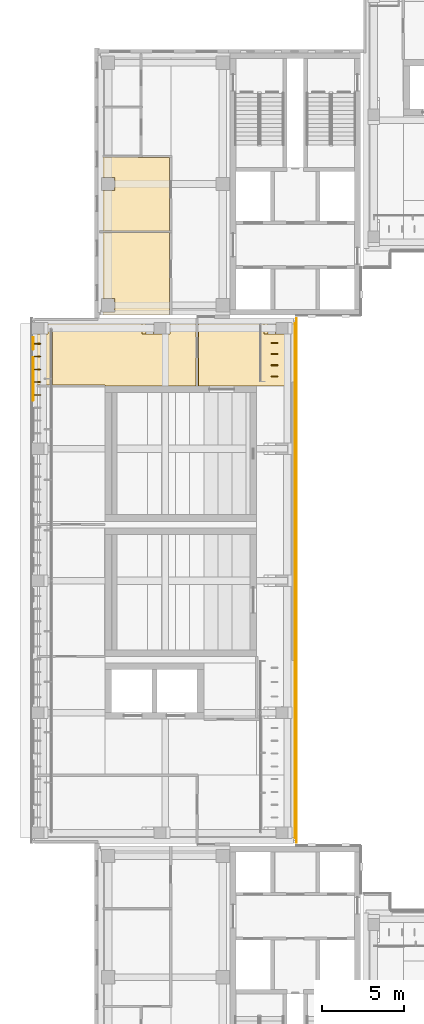
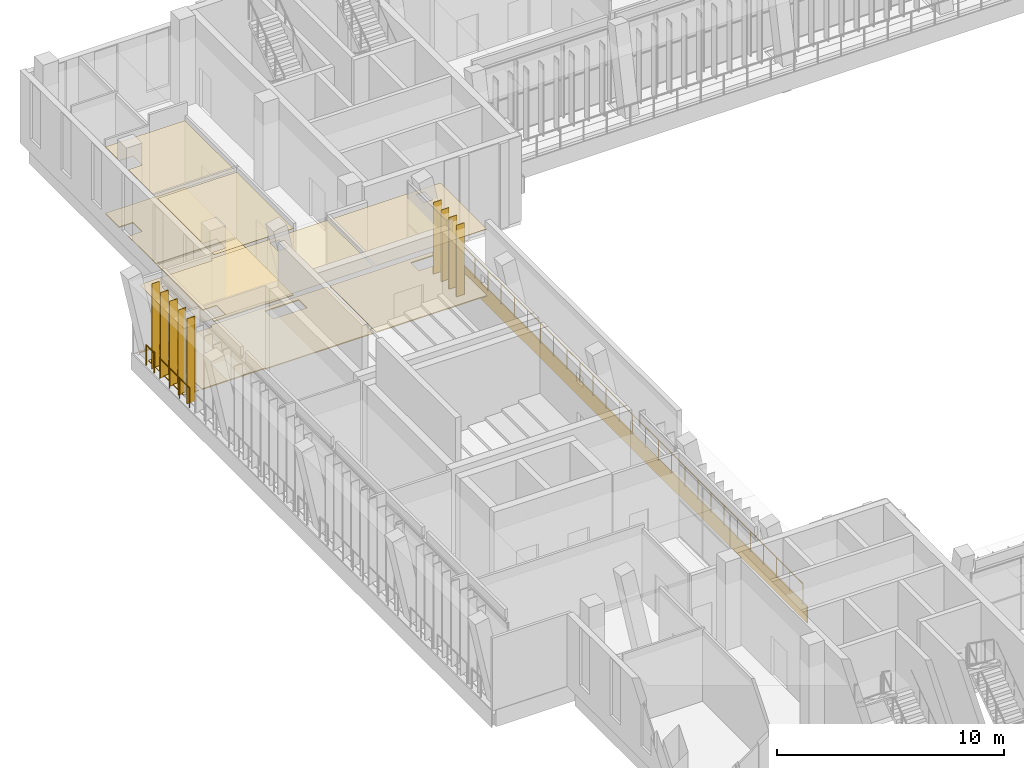
# One storey, part 60 of 74: 9 coverings, 9 shading devices, 3 railings.
"""IFC4 building model written with IfcOpenShell, lengths in metres."""

import ifcopenshell
import ifcopenshell.guid

model = None  # the IFC model being written
_history = None  # IfcOwnerHistory: only IFC2X3 demands one
_inside = {}  # id of a spatial element -> (the spatial element, [elements in it])
_under = {}  # id of a project, library or spatial element -> (it, [spatial elements below it])
_declared = {}  # id of a project -> (the project, [libraries it declares])
_typed = {}  # id of a type object -> (the type object, [elements of that type])
_made_of = {}  # id of a material, layer set ... -> (it, [elements and type objects made of it])


def new_model(schema):
    """Start an empty IFC model of exactly this schema.

    Asked for "IFC4X3", IfcOpenShell would pick the latest addendum, in which some entities
    have other attributes; the version numbers below select the first issue.
    IFC2X3 requires an IfcOwnerHistory on every rooted entity: one is made here for all.
    """
    global model, _history
    if schema == "IFC4X3":
        model = ifcopenshell.file(schema_version=(4, 3, 0, 0))
    else:
        model = ifcopenshell.file(schema=schema)
    _inside.clear()
    _under.clear()
    _declared.clear()
    _typed.clear()
    _made_of.clear()
    _history = None
    if model.schema == "IFC2X3":
        org = make("IfcOrganization", Name="unknown")
        user = make(
            "IfcPersonAndOrganization",
            ThePerson=make("IfcPerson", FamilyName="unknown"),
            TheOrganization=org,
        )
        app = make(
            "IfcApplication",
            ApplicationDeveloper=org,
            Version="unknown",
            ApplicationFullName="unknown",
            ApplicationIdentifier="unknown",
        )
        _history = make(
            "IfcOwnerHistory",
            OwningUser=user,
            OwningApplication=app,
            ChangeAction="ADDED",
            CreationDate=0,
        )
    return model


def make(cls, **values):
    """One entity of the class cls with the attributes given. An attribute that is None is left unset."""
    return model.create_entity(
        cls, **{name: value for name, value in values.items() if value is not None}
    )


def rooted(cls, **values):
    """An entity with a GlobalId (a new one), such as an element, a storey or a relation."""
    return make(cls, GlobalId=ifcopenshell.guid.new(), OwnerHistory=_history, **values)


def si_unit(unit_type, name, prefix=None):
    """IfcSIUnit, for example si_unit("LENGTHUNIT", "METRE", prefix="MILLI")."""
    return make("IfcSIUnit", UnitType=unit_type, Prefix=prefix, Name=name)


def assignment(units):
    """IfcUnitAssignment: the units of a project."""
    return None if units is None else make("IfcUnitAssignment", Units=units)


def point(xyz):
    """IfcCartesianPoint."""
    return None if xyz is None else make("IfcCartesianPoint", Coordinates=xyz)


def direction(xyz):
    """IfcDirection."""
    return None if xyz is None else make("IfcDirection", DirectionRatios=xyz)


def frame(location, z_axis=None, x_axis=None):
    """IfcAxis2Placement3D, a coordinate frame: its origin and axes. An axis left out is left unset."""
    return make(
        "IfcAxis2Placement3D",
        Location=point(location),
        Axis=direction(z_axis),
        RefDirection=direction(x_axis),
    )


def frame_2d(location, x_axis=None):
    """IfcAxis2Placement2D, a coordinate frame in the plane: its origin and x axis."""
    return make(
        "IfcAxis2Placement2D", Location=point(location), RefDirection=direction(x_axis)
    )


def origin():
    """The frame at (0, 0, 0) with its axes left unset."""
    return frame((0.0, 0.0, 0.0))


def origin_2d():
    """The frame at (0, 0) in the plane with its x axis left unset."""
    return frame_2d((0.0, 0.0))


def place(relative_to, where):
    """IfcLocalPlacement: puts the frame where relative to a parent placement (None: the world)."""
    return make(
        "IfcLocalPlacement", PlacementRelTo=relative_to, RelativePlacement=where
    )


def context(
    kind, dimensions, precision=None, world=None, true_north=None, identifier=None
):
    """IfcGeometricRepresentationContext, for example the 3D "Model" context."""
    return make(
        "IfcGeometricRepresentationContext",
        ContextIdentifier=identifier,
        ContextType=kind,
        CoordinateSpaceDimension=dimensions,
        Precision=precision,
        WorldCoordinateSystem=world,
        TrueNorth=true_north,
    )


def subcontext(parent, identifier, kind, view, scale=None):
    """IfcGeometricRepresentationSubContext, for example "Body" below "Model"."""
    return make(
        "IfcGeometricRepresentationSubContext",
        ContextIdentifier=identifier,
        ContextType=kind,
        ParentContext=parent,
        TargetScale=scale,
        TargetView=view,
    )


def project(units=None, contexts=None):
    """IfcProject with its units and contexts."""
    return rooted(
        "IfcProject",
        Name="project",
        RepresentationContexts=contexts,
        UnitsInContext=assignment(units),
    )


def spatial(cls, under=None, at=None, **own):
    """A site, building, storey or space (cls), placed at a placement, below another one or the project."""
    s = rooted(cls, ObjectPlacement=at, **own)
    if under is not None:
        _under.setdefault(under.id(), (under, []))[1].append(s)
    return s


def polyline(points):
    """IfcPolyline through the points."""
    return make("IfcPolyline", Points=[point(p) for p in points])


def profile(cls, at=None, kind="AREA", **sizes):
    """A parametric profile (cls). Its sizes go by their IFC names, for example OverallWidth=200.0."""
    return make(cls, ProfileType=kind, Position=at, **sizes)


def rectangle(**sizes):
    """IfcRectangleProfileDef."""
    return profile("IfcRectangleProfileDef", **sizes)


def circle(**sizes):
    """IfcCircleProfileDef."""
    return profile("IfcCircleProfileDef", **sizes)


def outline(outer, holes=None, kind="AREA"):
    """IfcArbitraryClosedProfileDef: a profile drawn as a closed curve; with holes, ...WithVoids."""
    if holes is None:
        return make("IfcArbitraryClosedProfileDef", ProfileType=kind, OuterCurve=outer)
    return make(
        "IfcArbitraryProfileDefWithVoids",
        ProfileType=kind,
        OuterCurve=outer,
        InnerCurves=holes,
    )


def extrude(swept, where, along, depth):
    """IfcExtrudedAreaSolid: the profile swept, set in the frame where, extruded along a direction by depth."""
    return make(
        "IfcExtrudedAreaSolid",
        SweptArea=swept,
        Position=where,
        ExtrudedDirection=direction(along),
        Depth=depth,
    )


def shape(context_of_items, identifier, shape_type, items):
    """IfcShapeRepresentation: the items that make up one representation, for example the "Body"."""
    return make(
        "IfcShapeRepresentation",
        ContextOfItems=context_of_items,
        RepresentationIdentifier=identifier,
        RepresentationType=shape_type,
        Items=items,
    )


def material(Name=None, Category=None):
    """IfcMaterial."""
    return make("IfcMaterial", Name=Name, Category=Category)


def layer(
    of_material, thickness, ventilated=None, Name=None, Category=None, Priority=None
):
    """IfcMaterialLayer: one layer of a wall or slab, of a material (None: an air gap)."""
    return make(
        "IfcMaterialLayer",
        Material=of_material,
        LayerThickness=thickness,
        IsVentilated=ventilated,
        Name=Name,
        Category=Category,
        Priority=Priority,
    )


def layer_set(layers, Name=None):
    """IfcMaterialLayerSet."""
    return make("IfcMaterialLayerSet", MaterialLayers=layers, LayerSetName=Name)


def made_of(thing, what):
    """Note that an element or type object is made of a material, layer set ...; save() writes the relation."""
    if what is not None:
        _made_of.setdefault(what.id(), (what, []))[1].append(thing)
    return thing


def type_object(cls, material=None, **own):
    """A type object (cls), such as IfcWallType, which elements share."""
    return made_of(rooted(cls, **own), material)


def element(
    cls,
    number,
    at=None,
    inside=None,
    cuts=None,
    type_object=None,
    material=None,
    context=None,
    identifier="Body",
    shape_type=None,
    held_by="IfcProductDefinitionShape",
    body=None,
    shapes=None,
    **own,
):
    """One element of the class cls, such as IfcWall. Its Tag is "e" and its number.

    at: its placement. inside: the storey or other place that contains it. cuts: it is an
    opening in that element (IfcRelVoidsElement). A single representation is given by context,
    identifier, shape_type and body (its items); several are given by shapes. held_by: the class
    of the entity that holds the representations. save() writes the other relations.
    """
    e = rooted(cls, Tag="e%d" % number, ObjectPlacement=at, **own)
    if body is not None:
        shapes = [shape(context, identifier, shape_type, body)]
    if shapes is not None:
        e.Representation = make(held_by, Representations=shapes)
    if inside is not None:
        _inside.setdefault(inside.id(), (inside, []))[1].append(e)
    if cuts is not None:
        rooted(
            "IfcRelVoidsElement", RelatingBuildingElement=cuts, RelatedOpeningElement=e
        )
    if type_object is not None:
        _typed.setdefault(type_object.id(), (type_object, []))[1].append(e)
    return made_of(e, material)


def aggregate(whole, parts):
    """IfcRelAggregates: a whole, such as a stair, and the parts it consists of."""
    return rooted("IfcRelAggregates", RelatingObject=whole, RelatedObjects=parts)


def save(model, path):
    """Write the relations noted so far, then the file.

    IfcRelAggregates (storeys below a building ...), IfcRelContainedInSpatialStructure (elements
    in a storey), IfcRelDefinesByType, IfcRelAssociatesMaterial and IfcRelDeclares: one each for
    every whole, place, type object, material and project.
    """
    for whole, parts in _under.values():
        aggregate(whole, parts)
    for where, things in _inside.values():
        rooted(
            "IfcRelContainedInSpatialStructure",
            RelatedElements=things,
            RelatingStructure=where,
        )
    for kind, things in _typed.values():
        rooted("IfcRelDefinesByType", RelatedObjects=things, RelatingType=kind)
    for what, things in _made_of.values():
        rooted("IfcRelAssociatesMaterial", RelatedObjects=things, RelatingMaterial=what)
    for by, libraries in _declared.values():
        rooted("IfcRelDeclares", RelatingContext=by, RelatedDefinitions=libraries)
    model.write(path)


model = new_model("IFC4")

# Units and contexts
model_context = context("Model", 3, precision=1e-05, world=origin(), true_north=direction((0.0, 1.0)))
body_context = subcontext(model_context, "Body", "Model", "MODEL_VIEW")
ifc_project = project(units=[si_unit("LENGTHUNIT", "METRE"), si_unit("AREAUNIT", "SQUARE_METRE"), si_unit("VOLUMEUNIT", "CUBIC_METRE"), si_unit("PLANEANGLEUNIT", "RADIAN"), si_unit("MASSUNIT", "GRAM", prefix="KILO")], contexts=[model_context])

# Site, building, storey
site_placement = place(None, origin())
site = spatial("IfcSite", under=ifc_project, at=site_placement, CompositionType="ELEMENT")
building_placement = place(site_placement, origin())
building = spatial("IfcBuilding", under=site, at=building_placement, Name="Lantern Court Media Centre", CompositionType="ELEMENT")
storey_placement = place(building_placement, frame((0.0, 0.0, 19.199951171875)))
storey = spatial("IfcBuildingStorey", under=building, at=storey_placement, Name="L04", CompositionType="ELEMENT", Elevation=19.199951171875)

# Coverings
ifc_material_1 = material(Name="Carpet")
ifc_layer_1 = layer(ifc_material_1, 0.050048828125)
ifc_layer_set_1 = layer_set([ifc_layer_1], Name="Carpet")
covering_type_1 = type_object("IfcCoveringType", Name="Carpet floor finish", PredefinedType="FLOORING", material=ifc_layer_set_1)
covering_1_placement = place(storey_placement, origin())
element("IfcCovering", 1, at=covering_1_placement, inside=storey, type_object=covering_type_1, Name="Projection Room Screen 8 floor finish", PredefinedType="FLOORING", context=body_context, shape_type="SweptSolid", body=[
    extrude(outline(polyline([(13.9326171875, 95.89990234375), (13.9326171875, 91.804931640625), (8.405029296875, 91.804931640625), (8.39990234375, 91.85498046875), (5.22998046875, 91.85498046875), (5.22509765625, 95.10498046875), (5.070068359375, 95.10009765625), (5.070068359375, 91.85498046875), (4.300048828125, 91.85498046875), (4.300048828125, 94.945068359375), (4.955078125, 94.949951171875), (4.953857421875, 95.653076171875), (4.300048828125, 95.655029296875), (4.300048828125, 95.7548828125), (8.0, 95.7548828125), (8.0048828125, 95.89990234375), (13.9326171875, 95.89990234375)]), holes=[polyline([(12.35009765625, 94.945068359375), (12.351806640625, 95.654541015625), (10.645263671875, 95.65185546875), (10.648193359375, 94.9453125), (12.35009765625, 94.945068359375)])]), origin(), (0.0, 0.0, 1.0), 0.050048828125),
])
covering_2_placement = place(storey_placement, origin())
element("IfcCovering", 2, at=covering_2_placement, inside=storey, type_object=covering_type_1, Name="Production Office 11 floor finish", PredefinedType="FLOORING", context=body_context, shape_type="SweptSolid", body=[
    extrude(outline(polyline([(8.300048828125, 105.675048828125), (12.33251953125, 105.66259765625), (12.33251953125, 101.2109375), (8.300048828125, 101.2109375), (8.300048828125, 103.64501953125), (9.0048828125, 103.64990234375), (9.00390625, 104.453125), (8.300048828125, 104.455078125), (8.300048828125, 105.675048828125)])), origin(), (0.0, 0.0, 1.0), 0.050048828125),
])
covering_3_placement = place(storey_placement, origin())
element("IfcCovering", 3, at=covering_3_placement, inside=storey, type_object=covering_type_1, Name="Conference Room 03 floor finish", PredefinedType="FLOORING", context=body_context, shape_type="SweptSolid", body=[
    extrude(outline(polyline([(8.300048828125, 101.10107421875), (12.33251953125, 101.10107421875), (12.33251953125, 96.10009765625), (8.300048828125, 96.10009765625), (8.300048828125, 96.294921875), (9.0048828125, 96.300048828125), (9.00390625, 97.103271484375), (8.300048828125, 97.10498046875), (8.300048828125, 101.10107421875)])), origin(), (0.0, 0.0, 1.0), 0.050048828125),
])

# Railings
ifc_material_2 = material(Name="Powder-coated steel", Category="steel")
railing_type_1 = type_object("IfcRailingType", Name="Floor edge guard 1100", PredefinedType="GUARDRAIL", material=ifc_material_2)
railing_1_placement = place(storey_placement, frame((4.06005859375, 90.93701171875, 0.0)))
element("IfcRailing", 4, at=railing_1_placement, inside=storey, type_object=railing_type_1, Name="L04 edge guard 119", PredefinedType="GUARDRAIL", context=body_context, shape_type="SweptSolid", body=[
    extrude(circle(Radius=0.02392578125, at=origin_2d()), frame((0.0, 0.0, 1.076171875), z_axis=(0.0, 1.0, 0.0), x_axis=(-1.0, 0.0, 0.0)), (0.0, 0.0, 1.0), 2.597900390625),
    extrude(circle(Radius=0.02099609375, at=origin_2d()), origin(), (0.0, 0.0, 1.0), 1.052001953125),
    extrude(circle(Radius=0.02099609375, at=origin_2d()), frame((0.0, 0.865966796875, 0.0)), (0.0, 0.0, 1.0), 1.052001953125),
    extrude(circle(Radius=0.02099609375, at=origin_2d()), frame((0.0, 1.73193359375, 0.0)), (0.0, 0.0, 1.0), 1.052001953125),
    extrude(circle(Radius=0.02099609375, at=origin_2d()), frame((0.0, 2.597900390625, 0.0)), (0.0, 0.0, 1.0), 1.052001953125),
])
railing_2_placement = place(storey_placement, frame((4.06005859375, 94.034912109375, 0.0)))
element("IfcRailing", 5, at=railing_2_placement, inside=storey, type_object=railing_type_1, Name="L04 edge guard 120", PredefinedType="GUARDRAIL", context=body_context, shape_type="SweptSolid", body=[
    extrude(circle(Radius=0.02392578125, at=origin_2d()), frame((0.0, 0.0, 1.076171875), z_axis=(0.0, 1.0, 0.0), x_axis=(-1.0, 0.0, 0.0)), (0.0, 0.0, 1.0), 0.698974609375),
    extrude(circle(Radius=0.02099609375, at=origin_2d()), origin(), (0.0, 0.0, 1.0), 1.052001953125),
    extrude(circle(Radius=0.02099609375, at=origin_2d()), frame((0.0, 0.698974609375, 0.0)), (0.0, 0.0, 1.0), 1.052001953125),
])

# Covering
ifc_material_3 = material(Name="White glass-fibre reinforced cement cladding", Category="concrete")
ifc_layer_2 = layer(ifc_material_3, 0.050048828125)
ifc_layer_set_2 = layer_set([ifc_layer_2], Name="White glass-fibre reinforced cement cladding")
covering_type_2 = type_object("IfcCoveringType", Name="Floor-edge band 50", PredefinedType="CLADDING", material=ifc_layer_set_2)
covering_4_placement = place(storey_placement, frame((20.02490234375, 64.10009765625, -0.89990234375), z_axis=(0.0, 0.0, 1.0), x_axis=(0.0, 1.0, 0.0)))
element("IfcCovering", 6, at=covering_4_placement, inside=storey, type_object=covering_type_2, Name="Floor-edge band W inner L04", PredefinedType="CLADDING", context=body_context, shape_type="SweptSolid", body=[
    extrude(rectangle(XDim=31.7998046875, YDim=0.050048828125, at=frame_2d((15.89990234375, 0.0))), origin(), (0.0, 0.0, 1.0), 0.89990234375),
])

# Railing
ifc_material_4 = material(Name="Painted mild steel balustrade", Category="steel")
railing_type_2 = type_object("IfcRailingType", Name="Guard 1100 steel balustrade", PredefinedType="GUARDRAIL", material=ifc_material_4)
railing_3_placement = place(storey_placement, frame((19.949951171875, 64.39990234375, 0.0)))
element("IfcRailing", 7, at=railing_3_placement, inside=storey, type_object=railing_type_2, Name="Ledge guard W L04", PredefinedType="GUARDRAIL", context=body_context, shape_type="SweptSolid", body=[
    extrude(circle(Radius=0.02392578125, at=origin_2d()), frame((0.0, 0.0, 1.076171875), z_axis=(0.0, 1.0, 0.0), x_axis=(-1.0, 0.0, 0.0)), (0.0, 0.0, 1.0), 31.2001953125),
    extrude(circle(Radius=0.02099609375, at=origin_2d()), origin(), (0.0, 0.0, 1.0), 1.052001953125),
    extrude(circle(Radius=0.02099609375, at=origin_2d()), frame((0.0, 1.155517578125, 0.0)), (0.0, 0.0, 1.0), 1.052001953125),
    extrude(circle(Radius=0.02099609375, at=origin_2d()), frame((0.0, 2.31103515625, 0.0)), (0.0, 0.0, 1.0), 1.052001953125),
    extrude(circle(Radius=0.02099609375, at=origin_2d()), frame((0.0, 3.466796875, 0.0)), (0.0, 0.0, 1.0), 1.052001953125),
    extrude(circle(Radius=0.02099609375, at=origin_2d()), frame((0.0, 4.622314453125, 0.0)), (0.0, 0.0, 1.0), 1.052001953125),
    extrude(circle(Radius=0.02099609375, at=origin_2d()), frame((0.0, 5.77783203125, 0.0)), (0.0, 0.0, 1.0), 1.052001953125),
    extrude(circle(Radius=0.02099609375, at=origin_2d()), frame((0.0, 6.933349609375, 0.0)), (0.0, 0.0, 1.0), 1.052001953125),
    extrude(circle(Radius=0.02099609375, at=origin_2d()), frame((0.0, 8.0888671875, 0.0)), (0.0, 0.0, 1.0), 1.052001953125),
    extrude(circle(Radius=0.02099609375, at=origin_2d()), frame((0.0, 9.244384765625, 0.0)), (0.0, 0.0, 1.0), 1.052001953125),
    extrude(circle(Radius=0.02099609375, at=origin_2d()), frame((0.0, 10.400146484375, 0.0)), (0.0, 0.0, 1.0), 1.052001953125),
    extrude(circle(Radius=0.02099609375, at=origin_2d()), frame((0.0, 11.5556640625, 0.0)), (0.0, 0.0, 1.0), 1.052001953125),
    extrude(circle(Radius=0.02099609375, at=origin_2d()), frame((0.0, 12.711181640625, 0.0)), (0.0, 0.0, 1.0), 1.052001953125),
    extrude(circle(Radius=0.02099609375, at=origin_2d()), frame((0.0, 13.86669921875, 0.0)), (0.0, 0.0, 1.0), 1.052001953125),
    extrude(circle(Radius=0.02099609375, at=origin_2d()), frame((0.0, 15.022216796875, 0.0)), (0.0, 0.0, 1.0), 1.052001953125),
    extrude(circle(Radius=0.02099609375, at=origin_2d()), frame((0.0, 16.177978515625, 0.0)), (0.0, 0.0, 1.0), 1.052001953125),
    extrude(circle(Radius=0.02099609375, at=origin_2d()), frame((0.0, 17.33349609375, 0.0)), (0.0, 0.0, 1.0), 1.052001953125),
    extrude(circle(Radius=0.02099609375, at=origin_2d()), frame((0.0, 18.489013671875, 0.0)), (0.0, 0.0, 1.0), 1.052001953125),
    extrude(circle(Radius=0.02099609375, at=origin_2d()), frame((0.0, 19.64453125, 0.0)), (0.0, 0.0, 1.0), 1.052001953125),
    extrude(circle(Radius=0.02099609375, at=origin_2d()), frame((0.0, 20.800048828125, 0.0)), (0.0, 0.0, 1.0), 1.052001953125),
    extrude(circle(Radius=0.02099609375, at=origin_2d()), frame((0.0, 21.955810546875, 0.0)), (0.0, 0.0, 1.0), 1.052001953125),
    extrude(circle(Radius=0.02099609375, at=origin_2d()), frame((0.0, 23.111328125, 0.0)), (0.0, 0.0, 1.0), 1.052001953125),
    extrude(circle(Radius=0.02099609375, at=origin_2d()), frame((0.0, 24.266845703125, 0.0)), (0.0, 0.0, 1.0), 1.052001953125),
    extrude(circle(Radius=0.02099609375, at=origin_2d()), frame((0.0, 25.42236328125, 0.0)), (0.0, 0.0, 1.0), 1.052001953125),
    extrude(circle(Radius=0.02099609375, at=origin_2d()), frame((0.0, 26.577880859375, 0.0)), (0.0, 0.0, 1.0), 1.052001953125),
    extrude(circle(Radius=0.02099609375, at=origin_2d()), frame((0.0, 27.7333984375, 0.0)), (0.0, 0.0, 1.0), 1.052001953125),
    extrude(circle(Radius=0.02099609375, at=origin_2d()), frame((0.0, 28.88916015625, 0.0)), (0.0, 0.0, 1.0), 1.052001953125),
    extrude(circle(Radius=0.02099609375, at=origin_2d()), frame((0.0, 30.044677734375, 0.0)), (0.0, 0.0, 1.0), 1.052001953125),
    extrude(circle(Radius=0.02099609375, at=origin_2d()), frame((0.0, 31.2001953125, 0.0)), (0.0, 0.0, 1.0), 1.052001953125),
])

# Coverings
ifc_material_5 = material(Name="Mineral fibre ceiling tile")
ifc_layer_3 = layer(ifc_material_5, 0.02001953125)
ifc_layer_set_3 = layer_set([ifc_layer_3], Name="Mineral fibre ceiling tile")
covering_type_3 = type_object("IfcCoveringType", Name="Suspended ceiling tile", PredefinedType="CEILING", material=ifc_layer_set_3)
covering_5_placement = place(storey_placement, frame((0.0, 0.0, 3.60009765625)))
element("IfcCovering", 8, at=covering_5_placement, inside=storey, type_object=covering_type_3, Name="Projection Room Screen 8 ceiling", PredefinedType="CEILING", context=body_context, shape_type="SweptSolid", body=[
    extrude(outline(polyline([(14.0, 91.800537109375), (8.400390625, 91.800537109375), (8.39990234375, 91.8505859375), (5.22998046875, 91.8505859375), (5.2255859375, 91.800048828125), (5.22509765625, 95.1005859375), (5.074462890625, 95.10009765625), (5.074462890625, 91.800048828125), (5.070068359375, 91.8505859375), (4.300048828125, 91.8505859375), (4.300048828125, 95.759521484375), (8.0, 95.759521484375), (8.00048828125, 95.89990234375), (13.93701171875, 95.89990234375), (13.93701171875, 91.804931640625), (14.0, 91.800537109375)]), holes=[polyline([(10.89794921875, 95.650390625), (10.8974609375, 94.94970703125), (11.350341796875, 94.949462890625), (11.350341796875, 95.650390625), (10.89794921875, 95.650390625)])]), origin(), (0.0, 0.0, 1.0), 0.02001953125),
])
covering_6_placement = place(storey_placement, frame((0.0, 0.0, 3.60009765625)))
element("IfcCovering", 9, at=covering_6_placement, inside=storey, type_object=covering_type_3, Name="End Lobby ceiling", PredefinedType="CEILING", context=body_context, shape_type="SweptSolid", body=[
    extrude(outline(polyline([(14.0, 91.804443359375), (14.06298828125, 91.804931640625), (14.06298828125, 95.8994140625), (19.699951171875, 95.89990234375), (19.699951171875, 91.800048828125), (14.0, 91.804443359375)]), holes=[polyline([(18.2978515625, 95.650390625), (18.297607421875, 94.94970703125), (18.750244140625, 94.949462890625), (18.75048828125, 95.650390625), (18.2978515625, 95.650390625)])]), origin(), (0.0, 0.0, 1.0), 0.02001953125),
])
covering_7_placement = place(storey_placement, frame((0.0, 0.0, 3.60009765625)))
element("IfcCovering", 10, at=covering_7_placement, inside=storey, type_object=covering_type_3, Name="Production Office 11 ceiling", PredefinedType="CEILING", context=body_context, shape_type="SweptSolid", body=[
    extrude(outline(polyline([(8.300048828125, 105.679443359375), (12.3369140625, 105.6669921875), (12.3369140625, 101.20654296875), (8.300048828125, 101.20654296875), (8.300048828125, 103.6494140625), (9.00048828125, 103.64990234375), (9.00048828125, 104.450439453125), (8.300048828125, 104.450439453125), (8.300048828125, 105.679443359375)])), origin(), (0.0, 0.0, 1.0), 0.02001953125),
])
covering_8_placement = place(storey_placement, frame((0.0, 0.0, 3.60009765625)))
element("IfcCovering", 11, at=covering_8_placement, inside=storey, type_object=covering_type_3, Name="Conference Room 03 ceiling", PredefinedType="CEILING", context=body_context, shape_type="SweptSolid", body=[
    extrude(outline(polyline([(8.300048828125, 101.10546875), (12.3369140625, 101.10546875), (12.3369140625, 96.10009765625), (8.300048828125, 96.10009765625), (8.300048828125, 96.299560546875), (9.00048828125, 96.300048828125), (9.00048828125, 97.100341796875), (8.300048828125, 97.1005859375), (8.300048828125, 101.10546875)])), origin(), (0.0, 0.0, 1.0), 0.02001953125),
])
ifc_material_6 = material(Name="Terrazzo")
ifc_layer_4 = layer(ifc_material_6, 0.050048828125)
ifc_layer_set_4 = layer_set([ifc_layer_4], Name="Terrazzo")
covering_type_4 = type_object("IfcCoveringType", Name="Terrazzo floor finish", PredefinedType="FLOORING", material=ifc_layer_set_4)
covering_9_placement = place(storey_placement, origin())
element("IfcCovering", 12, at=covering_9_placement, inside=storey, type_object=covering_type_4, Name="End Lobby floor finish", PredefinedType="FLOORING", context=body_context, shape_type="SweptSolid", body=[
    extrude(outline(polyline([(19.699951171875, 91.800048828125), (14.0673828125, 91.804931640625), (14.0673828125, 95.89501953125), (19.699951171875, 95.89990234375), (19.699951171875, 95.655029296875), (18.044921875, 95.64990234375), (18.048095703125, 94.9453125), (19.699951171875, 94.945068359375), (19.699951171875, 91.800048828125)])), origin(), (0.0, 0.0, 1.0), 0.050048828125),
])

# Shading devices
ifc_material_7 = material(Name="Bronze anodised aluminium louvre", Category="aluminium")
ifc_layer_5 = layer(ifc_material_7, 0.0400390625)
ifc_layer_set_5 = layer_set([ifc_layer_5], Name="Bronze anodised aluminium louvre")
shading_device_type_1 = type_object("IfcShadingDeviceType", Name="Vertical louvre 40x400 full storey", PredefinedType="USERDEFINED", material=ifc_layer_set_5)
for number, where, z_axis, x_axis, name in (
    (13, (4.320068359375, 91.262451171875, 0.0), (0.0, 0.0, 1.0), (1.0, 0.0, 0.0), "Vertical louvre W outer L04"),
    (14, (4.320068359375, 92.03759765625, 0.0), (0.0, 0.0, 1.0), (1.0, 0.0, 0.0), "Vertical louvre W outer L04"),
    (15, (4.320068359375, 92.8125, 0.0), (0.0, 0.0, 1.0), (1.0, 0.0, 0.0), "Vertical louvre W outer L04"),
    (16, (4.320068359375, 93.58740234375, 0.0), (0.0, 0.0, 1.0), (1.0, 0.0, 0.0), "Vertical louvre W outer L04"),
    (17, (4.320068359375, 94.362548828125, 0.0), (0.0, 0.0, 1.0), (1.0, 0.0, 0.0), "Vertical louvre W outer L04"),
):
    element("IfcShadingDevice", number, at=place(storey_placement, frame(where, z_axis=z_axis, x_axis=x_axis)), inside=storey, type_object=shading_device_type_1, Name=name, ObjectType="VERTICAL LOUVRE", PredefinedType="USERDEFINED", context=body_context, shape_type="SweptSolid", body=[
        extrude(rectangle(XDim=0.39990234375, YDim=0.0400390625, at=origin_2d()), origin(), (0.0, 0.0, 1.0), 4.580078125),
    ])
ifc_layer_6 = layer(ifc_material_7, 0.0400390625)
ifc_layer_set_6 = layer_set([ifc_layer_6], Name="Bronze anodised aluminium louvre")
shading_device_type_2 = type_object("IfcShadingDeviceType", Name="Vertical louvre 40x400 under beam", PredefinedType="USERDEFINED", material=ifc_layer_set_6)
for number, where, z_axis, x_axis, name in (
    (18, (18.679931640625, 92.387451171875, 0.0), (0.0, 0.0, 1.0), (1.0, 0.0, 0.0), "Vertical louvre W inner L04"),
    (19, (18.679931640625, 93.0625, 0.0), (0.0, 0.0, 1.0), (1.0, 0.0, 0.0), "Vertical louvre W inner L04"),
    (20, (18.679931640625, 93.737548828125, 0.0), (0.0, 0.0, 1.0), (1.0, 0.0, 0.0), "Vertical louvre W inner L04"),
    (21, (18.679931640625, 94.41259765625, 0.0), (0.0, 0.0, 1.0), (1.0, 0.0, 0.0), "Vertical louvre W inner L04"),
):
    element("IfcShadingDevice", number, at=place(storey_placement, frame(where, z_axis=z_axis, x_axis=x_axis)), inside=storey, type_object=shading_device_type_2, Name=name, ObjectType="VERTICAL LOUVRE", PredefinedType="USERDEFINED", context=body_context, shape_type="SweptSolid", body=[
        extrude(rectangle(XDim=0.39990234375, YDim=0.0400390625, at=origin_2d()), origin(), (0.0, 0.0, 1.0), 3.89990234375),
    ])

save(model, "model.ifc")
